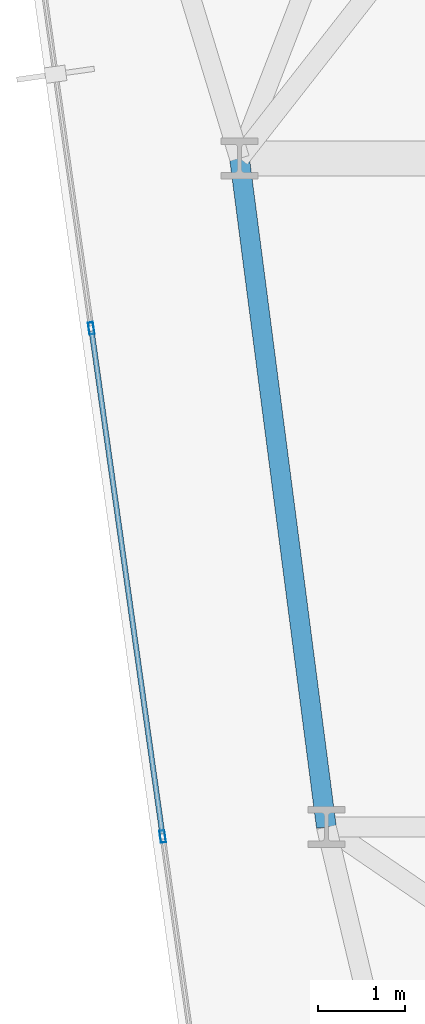
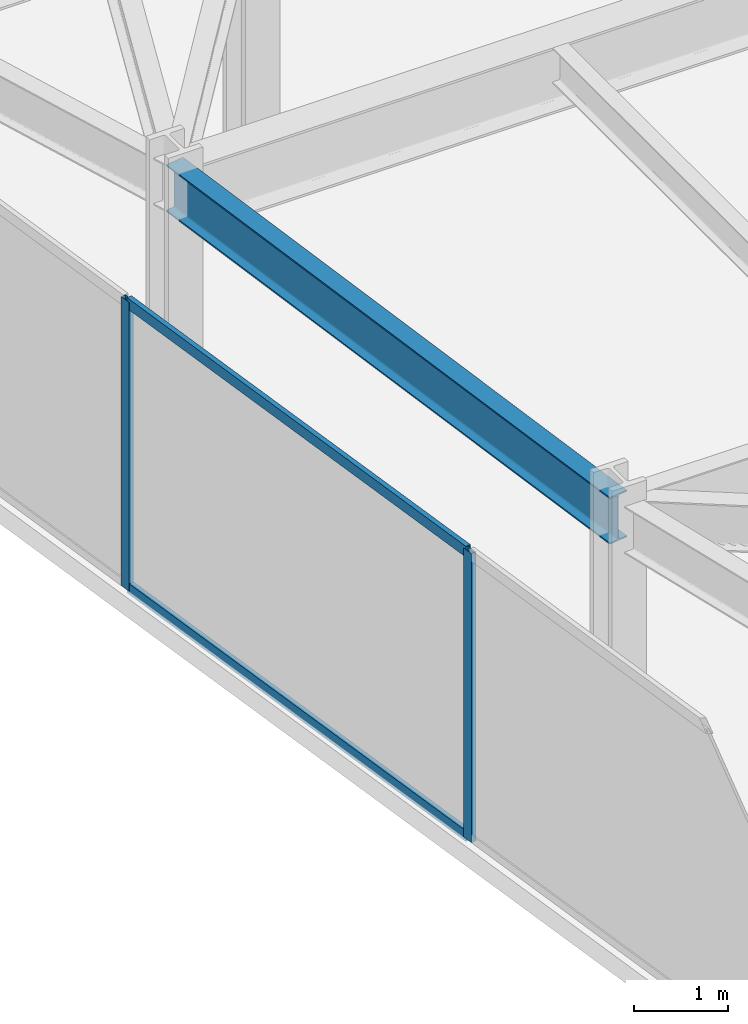
# One storey, part 5 of 26: 4 members, 1 beam, 1 element without a shape of its own.
"""IFC4 building model written with IfcOpenShell, lengths in metres."""

from ifc_helpers import new_model, si_unit, direction, frame, origin, origin_2d, place, context, subcontext, project, spatial, hollow_rectangle, i_section, extrude, material, layer, layer_set, material_profile, profile_set, type_object, element, aggregate, save


model = new_model("IFC4")

# Units and contexts
model_context = context("Model", 3, precision=1e-05, world=origin(), true_north=direction((0.0, 1.0)))
body_context = subcontext(model_context, "Body", "Model", "MODEL_VIEW")
ifc_project = project(units=[si_unit("LENGTHUNIT", "METRE"), si_unit("AREAUNIT", "SQUARE_METRE"), si_unit("VOLUMEUNIT", "CUBIC_METRE"), si_unit("PLANEANGLEUNIT", "RADIAN"), si_unit("MASSUNIT", "GRAM", prefix="KILO")], contexts=[model_context])

# Site, building, storey
site_placement = place(None, origin())
site = spatial("IfcSite", under=ifc_project, at=site_placement, CompositionType="ELEMENT")
building_placement = place(site_placement, origin())
building = spatial("IfcBuilding", under=site, at=building_placement, Name="Kravanh Interchange Tower", CompositionType="ELEMENT")
storey_placement = place(building_placement, frame((0.0, 0.0, 124.0)))
storey = spatial("IfcBuildingStorey", under=building, at=storey_placement, Name="L29", CompositionType="ELEMENT", Elevation=124.0)

# Curtain wall, members
ifc_material_1 = material(Name="Anodised Bronze Aluminium", Category="aluminium")
ifc_layer = layer(ifc_material_1, 0.179931640625)
ifc_layer_set = layer_set([ifc_layer], Name="Unitised Curtain Wall System CW-Z2 Mid Office")
curtain_wall_type = type_object("IfcCurtainWallType", Name="Unitised Curtain Wall System CW-Z2 Mid Office", PredefinedType="NOTDEFINED", material=ifc_layer_set)
curtain_wall_placement = place(storey_placement, origin())
curtain_wall = element("IfcCurtainWall", 1, at=curtain_wall_placement, inside=storey, type_object=curtain_wall_type, Name="L29 Unitised Curtain Wall CW-L29-01", PredefinedType="NOTDEFINED")
ifc_material_2 = material(Name="Anodised Bronze Aluminium", Category="aluminium")
ifc_material_profile_1 = material_profile(ifc_material_2, hollow_rectangle(XDim=0.06005859375, YDim=0.139892578125, WallThickness=0.00390625, at=origin_2d()), Name="ALU60X140X4")
ifc_profile_set_1 = profile_set([ifc_material_profile_1], Name="Anodised Bronze Aluminium")
member_type_1 = type_object("IfcMemberType", Name="Curtain Wall Mullion ALU60X140X4 Bronze", PredefinedType="MULLION", material=ifc_profile_set_1)
member_1_placement = place(storey_placement, frame((14.114990234375, 14.390869140625, 0.0), z_axis=(0.0, 0.0, 1.0), x_axis=(-0.990268103846, -0.13917285118, 0.0)))
member_1 = element("IfcMember", 2, at=member_1_placement, type_object=member_type_1, Name="CW-Z2 mullion 2", PredefinedType="MULLION", context=body_context, shape_type="SweptSolid", body=[
    extrude(hollow_rectangle(XDim=0.06005859375, YDim=0.139892578125, WallThickness=0.00390625, at=origin_2d()), origin(), (0.0, 0.0, 1.0), 3.75),
])
member_2_placement = place(storey_placement, frame((13.29248046875, 20.2431640625, 0.0), z_axis=(0.0, 0.0, 1.0), x_axis=(-0.990268103846, -0.13917285118, 0.0)))
member_2 = element("IfcMember", 3, at=member_2_placement, type_object=member_type_1, Name="CW-Z2 mullion 3", PredefinedType="MULLION", context=body_context, shape_type="SweptSolid", body=[
    extrude(hollow_rectangle(XDim=0.06005859375, YDim=0.139892578125, WallThickness=0.00390625, at=origin_2d()), origin(), (0.0, 0.0, 1.0), 3.75),
])
ifc_material_3 = material(Name="Anodised Bronze Aluminium", Category="aluminium")
ifc_material_profile_2 = material_profile(ifc_material_3, hollow_rectangle(XDim=0.06005859375, YDim=0.139892578125, WallThickness=0.00390625, at=origin_2d()), Name="ALU60X140X4")
ifc_profile_set_2 = profile_set([ifc_material_profile_2], Name="Anodised Bronze Aluminium")
member_type_2 = type_object("IfcMemberType", Name="Curtain Wall Transom ALU60X140X4 Bronze", PredefinedType="USERDEFINED", material=ifc_profile_set_2)
member_3_placement = place(storey_placement, frame((14.11083984375, 14.420654296875, 0.030029296875), z_axis=(-0.139183212647, 0.990266647584, 0.0), x_axis=(-0.990266647584, -0.139183212647, 0.0)))
member_3 = element("IfcMember", 4, at=member_3_placement, type_object=member_type_2, Name="CW-Z2 transom 2.1", ObjectType="TRANSOM", PredefinedType="USERDEFINED", context=body_context, shape_type="SweptSolid", body=[
    extrude(hollow_rectangle(XDim=0.06005859375, YDim=0.139892578125, WallThickness=0.00390625, at=origin_2d()), origin(), (0.0, 0.0, 1.0), 5.849853515625),
])
member_4_placement = place(storey_placement, frame((14.11083984375, 14.420654296875, 3.719970703125), z_axis=(-0.139183212647, 0.990266647584, 0.0), x_axis=(-0.990266647584, -0.139183212647, 0.0)))
member_4 = element("IfcMember", 5, at=member_4_placement, type_object=member_type_2, Name="CW-Z2 transom 2.2", ObjectType="TRANSOM", PredefinedType="USERDEFINED", context=body_context, shape_type="SweptSolid", body=[
    extrude(hollow_rectangle(XDim=0.06005859375, YDim=0.139892578125, WallThickness=0.00390625, at=origin_2d()), origin(), (0.0, 0.0, 1.0), 5.849853515625),
])
aggregate(curtain_wall, [member_1, member_2, member_3, member_4])

# Beam
ifc_material_4 = material(Name="Structural Steel S355", Category="steel")
ifc_material_profile_3 = material_profile(ifc_material_4, i_section(OverallWidth=0.22802734375, OverallDepth=0.60791015625, WebThickness=0.01123046875, FlangeThickness=0.017333984375, FilletRadius=0.02197265625, at=origin_2d()), Name="W24X76")
ifc_profile_set_3 = profile_set([ifc_material_profile_3], Name="Structural Steel S355")
beam_type = type_object("IfcBeamType", Name="Floor Spandrel W24X76 Structural Steel S355", PredefinedType="SPANDREL", material=ifc_profile_set_3)
beam_placement = place(storey_placement, frame((16.0, 14.5, 3.446044921875), z_axis=(-0.128789384125, 0.99167196922, 0.0), x_axis=(-0.99167196922, -0.128789384125, 0.0)))
element("IfcBeam", 6, at=beam_placement, inside=storey, type_object=beam_type, Name="L29 Perimeter Spandrel 100", PredefinedType="SPANDREL", context=body_context, shape_type="SweptSolid", body=[
    extrude(i_section(OverallWidth=0.22802734375, OverallDepth=0.60791015625, WebThickness=0.01123046875, FlangeThickness=0.017333984375, FilletRadius=0.02197265625, at=origin_2d()), origin(), (0.0, 0.0, 1.0), 7.7646484375),
])

save(model, "model.ifc")
